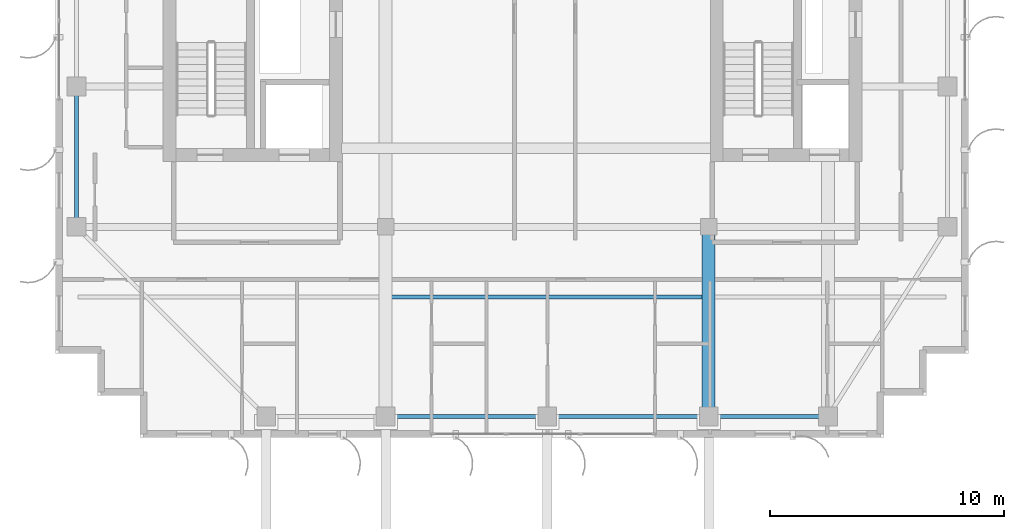
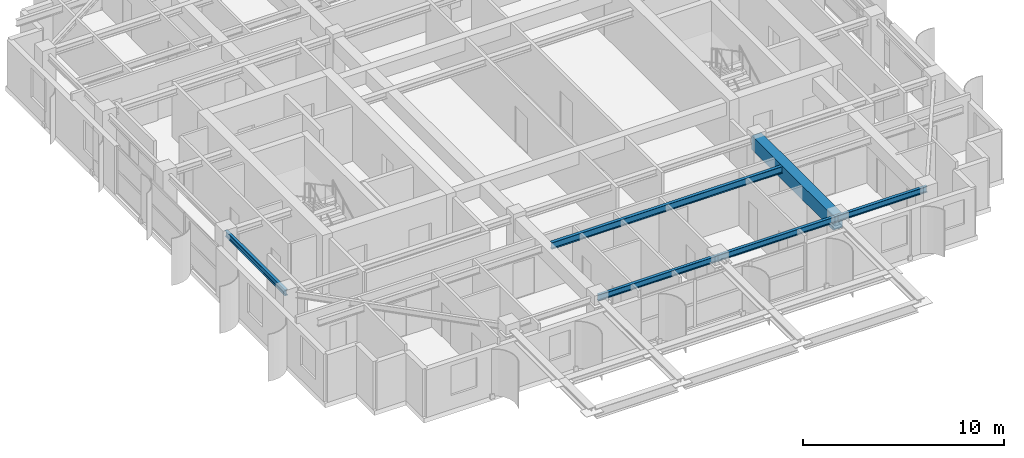
# One storey, part 3 of 19: 6 beams.
"""IFC4 building model written with IfcOpenShell, lengths in metres."""

from ifc_helpers import new_model, si_unit, direction, frame, origin, origin_2d, place, context, subcontext, project, spatial, rectangle, i_section, extrude, source, transform, mapped, material, material_profile, profile_set, type_object, element, save


model = new_model("IFC4")

# Units and contexts
model_context = context("Model", 3, precision=1e-05, world=origin(), true_north=direction((0.0, 1.0)))
body_context = subcontext(model_context, "Body", "Model", "MODEL_VIEW")
ifc_project = project(units=[si_unit("LENGTHUNIT", "METRE"), si_unit("AREAUNIT", "SQUARE_METRE"), si_unit("VOLUMEUNIT", "CUBIC_METRE"), si_unit("PLANEANGLEUNIT", "RADIAN"), si_unit("MASSUNIT", "GRAM", prefix="KILO")], contexts=[model_context])

# Site, building, storey
site_placement = place(None, origin())
site = spatial("IfcSite", under=ifc_project, at=site_placement, CompositionType="ELEMENT")
building_placement = place(site_placement, origin())
building = spatial("IfcBuilding", under=site, at=building_placement, Name="Khoralis Quay Care Tower", CompositionType="ELEMENT")
storey_placement = place(building_placement, frame((0.0, 0.0, 281.699951171875)))
storey = spatial("IfcBuildingStorey", under=building, at=storey_placement, Name="L74", CompositionType="ELEMENT", Elevation=281.699951171875)

# Beams
ifc_material_1 = material(Name="Steel S355", Category="steel")
ifc_material_profile_1 = material_profile(ifc_material_1, i_section(OverallWidth=0.169921875, OverallDepth=0.360107421875, WebThickness=0.008056640625, FlangeThickness=0.0126953125, FilletRadius=0.01806640625, at=origin_2d()), Name="Steel S355")
ifc_profile_set_1 = profile_set([ifc_material_profile_1], Name="Steel S355")
beam_type_1 = type_object("IfcBeamType", Name="BM-IPE360", PredefinedType="SPANDREL", material=ifc_profile_set_1)
shared_shape_1 = source(origin(), body_context, "Body", "SweptSolid", [
    extrude(i_section(OverallWidth=0.169921875, OverallDepth=0.360107421875, WebThickness=0.008056640625, FlangeThickness=0.0126953125, FilletRadius=0.01806640625, at=origin_2d()), origin(), (0.0, 0.0, 1.0), 5.10009765625),
])
beam_1_placement = place(storey_placement, frame((30.89990234375, 3.89990234375, 3.14013671875), z_axis=(1.0, 0.0, 0.0), x_axis=(0.0, 1.0, 0.0)))
element("IfcBeam", 1, at=beam_1_placement, inside=storey, type_object=beam_type_1, Name="BM-TSP-L74-04", PredefinedType="SPANDREL", context=body_context, shape_type="MappedRepresentation", body=[
    mapped(shared_shape_1, transform((0.0, 0.0, 0.0), scale=1.0)),
])
shared_shape_2 = source(origin(), body_context, "Body", "SweptSolid", [
    extrude(i_section(OverallWidth=0.169921875, OverallDepth=0.360107421875, WebThickness=0.008056640625, FlangeThickness=0.0126953125, FilletRadius=0.01806640625, at=origin_2d()), origin(), (0.0, 0.0, 1.0), 6.0),
])
beam_2_placement = place(storey_placement, frame((3.89990234375, 12.0, 3.14013671875), z_axis=(0.0, 1.0, 0.0), x_axis=(-1.0, 0.0, 0.0)))
element("IfcBeam", 2, at=beam_2_placement, inside=storey, type_object=beam_type_1, Name="BM-TSP-L74-09", PredefinedType="SPANDREL", context=body_context, shape_type="MappedRepresentation", body=[
    mapped(shared_shape_2, transform((0.0, 0.0, 0.0), scale=1.0)),
])
ifc_material_2 = material(Name="Concrete C50/60", Category="concrete")
ifc_material_profile_2 = material_profile(ifc_material_2, rectangle(XDim=0.550048828125, YDim=0.85009765625, at=origin_2d()), Name="Concrete C50/60")
ifc_profile_set_2 = profile_set([ifc_material_profile_2], Name="Concrete C50/60")
beam_type_2 = type_object("IfcBeamType", Name="BM-RC550X850", PredefinedType="BEAM", material=ifc_profile_set_2)
shared_shape_3 = source(origin(), body_context, "Body", "SweptSolid", [
    extrude(rectangle(XDim=0.550048828125, YDim=0.85009765625, at=origin_2d()), origin(), (0.0, 0.0, 1.0), 8.10009765625),
])
beam_3_placement = place(storey_placement, frame((30.89990234375, 3.89990234375, 2.89501953125), z_axis=(0.0, 1.0, 0.0), x_axis=(-1.0, 0.0, 0.0)))
element("IfcBeam", 3, at=beam_3_placement, inside=storey, type_object=beam_type_2, Name="BM-TGYS-L74-309", PredefinedType="BEAM", context=body_context, shape_type="MappedRepresentation", body=[
    mapped(shared_shape_3, transform((0.0, 0.0, 0.0), scale=1.0)),
])
shared_shape_4 = source(origin(), body_context, "Body", "SweptSolid", [
    extrude(i_section(OverallWidth=0.169921875, OverallDepth=0.360107421875, WebThickness=0.008056640625, FlangeThickness=0.0126953125, FilletRadius=0.01806640625, at=origin_2d()), origin(), (0.0, 0.0, 1.0), 6.89990234375),
])
for number, where, z_axis, x_axis, name in (
    (4, (17.10009765625, 3.89990234375, 3.14013671875), (1.0, 0.0, 0.0), (0.0, 1.0, 0.0), "BM-TSP-L74-02"),
    (5, (24.0, 3.89990234375, 3.14013671875), (1.0, 0.0, 0.0), (0.0, 1.0, 0.0), "BM-TSP-L74-03"),
):
    element("IfcBeam", number, at=place(storey_placement, frame(where, z_axis=z_axis, x_axis=x_axis)), inside=storey, type_object=beam_type_1, Name=name, PredefinedType="SPANDREL", context=body_context, shape_type="MappedRepresentation", body=[
        mapped(shared_shape_4, transform((0.0, 0.0, 0.0), scale=1.0)),
    ])
ifc_material_profile_3 = material_profile(ifc_material_1, i_section(OverallWidth=0.177978515625, OverallDepth=0.406982421875, WebThickness=0.0078125, FlangeThickness=0.0126953125, FilletRadius=0.012939453125, at=origin_2d()), Name="Steel S355")
ifc_profile_set_3 = profile_set([ifc_material_profile_3], Name="Steel S355")
beam_type_3 = type_object("IfcBeamType", Name="BM-W410X60", PredefinedType="JOIST", material=ifc_profile_set_3)
shared_shape_5 = source(origin(), body_context, "Body", "SweptSolid", [
    extrude(i_section(OverallWidth=0.177978515625, OverallDepth=0.406982421875, WebThickness=0.0078125, FlangeThickness=0.0126953125, FilletRadius=0.012939453125, at=origin_2d()), origin(), (0.0, 0.0, 1.0), 13.27392578125),
])
beam_4_placement = place(storey_placement, frame((17.363037109375, 9.0, 3.116455078125), z_axis=(1.0, 0.0, 0.0), x_axis=(0.0, 1.0, 0.0)))
element("IfcBeam", 6, at=beam_4_placement, inside=storey, type_object=beam_type_3, Name="BM-TJS-L74-23", PredefinedType="JOIST", context=body_context, shape_type="MappedRepresentation", body=[
    mapped(shared_shape_5, transform((0.0, 0.0, 0.0), scale=1.0)),
])

save(model, "model.ifc")
